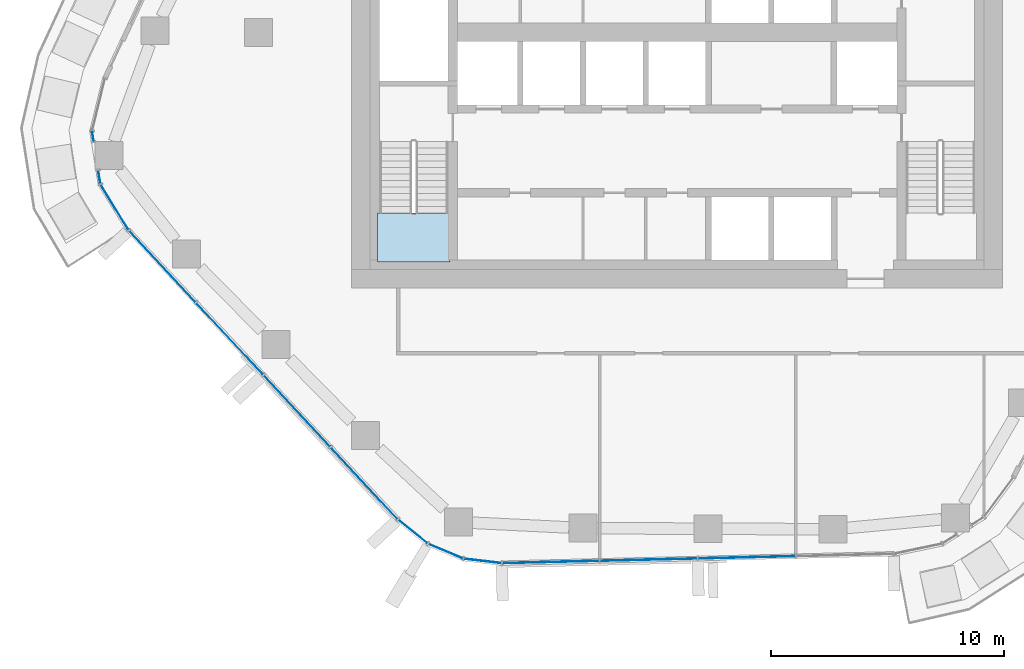
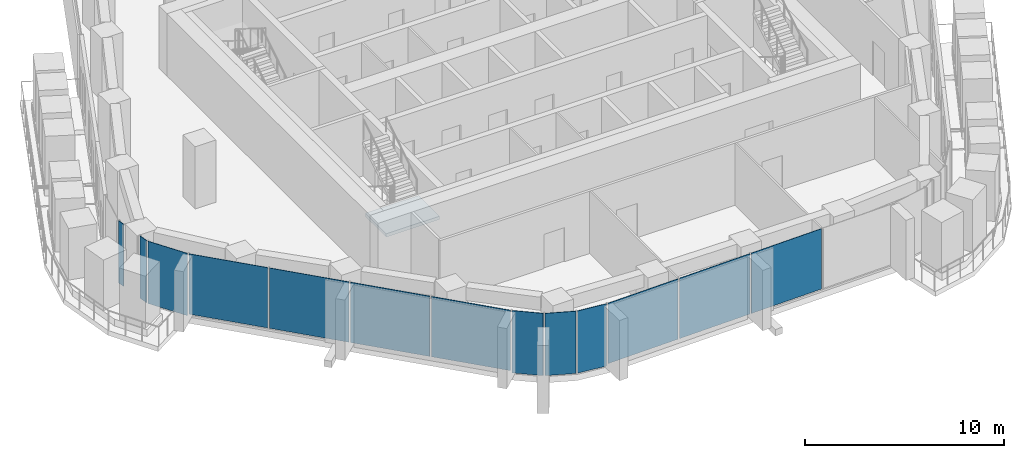
# One storey, part 7 of 17: 13 plates, 1 slab, 6 elements without a shape of their own.
"""IFC4 building model written with IfcOpenShell, lengths in metres."""

import ifcopenshell
import ifcopenshell.guid

model = None  # the IFC model being written
_history = None  # IfcOwnerHistory: only IFC2X3 demands one
_inside = {}  # id of a spatial element -> (the spatial element, [elements in it])
_under = {}  # id of a project, library or spatial element -> (it, [spatial elements below it])
_declared = {}  # id of a project -> (the project, [libraries it declares])
_typed = {}  # id of a type object -> (the type object, [elements of that type])
_made_of = {}  # id of a material, layer set ... -> (it, [elements and type objects made of it])


def new_model(schema):
    """Start an empty IFC model of exactly this schema.

    Asked for "IFC4X3", IfcOpenShell would pick the latest addendum, in which some entities
    have other attributes; the version numbers below select the first issue.
    IFC2X3 requires an IfcOwnerHistory on every rooted entity: one is made here for all.
    """
    global model, _history
    if schema == "IFC4X3":
        model = ifcopenshell.file(schema_version=(4, 3, 0, 0))
    else:
        model = ifcopenshell.file(schema=schema)
    _inside.clear()
    _under.clear()
    _declared.clear()
    _typed.clear()
    _made_of.clear()
    _history = None
    if model.schema == "IFC2X3":
        org = make("IfcOrganization", Name="unknown")
        user = make(
            "IfcPersonAndOrganization",
            ThePerson=make("IfcPerson", FamilyName="unknown"),
            TheOrganization=org,
        )
        app = make(
            "IfcApplication",
            ApplicationDeveloper=org,
            Version="unknown",
            ApplicationFullName="unknown",
            ApplicationIdentifier="unknown",
        )
        _history = make(
            "IfcOwnerHistory",
            OwningUser=user,
            OwningApplication=app,
            ChangeAction="ADDED",
            CreationDate=0,
        )
    return model


def make(cls, **values):
    """One entity of the class cls with the attributes given. An attribute that is None is left unset."""
    return model.create_entity(
        cls, **{name: value for name, value in values.items() if value is not None}
    )


def rooted(cls, **values):
    """An entity with a GlobalId (a new one), such as an element, a storey or a relation."""
    return make(cls, GlobalId=ifcopenshell.guid.new(), OwnerHistory=_history, **values)


def si_unit(unit_type, name, prefix=None):
    """IfcSIUnit, for example si_unit("LENGTHUNIT", "METRE", prefix="MILLI")."""
    return make("IfcSIUnit", UnitType=unit_type, Prefix=prefix, Name=name)


def assignment(units):
    """IfcUnitAssignment: the units of a project."""
    return None if units is None else make("IfcUnitAssignment", Units=units)


def point(xyz):
    """IfcCartesianPoint."""
    return None if xyz is None else make("IfcCartesianPoint", Coordinates=xyz)


def direction(xyz):
    """IfcDirection."""
    return None if xyz is None else make("IfcDirection", DirectionRatios=xyz)


def frame(location, z_axis=None, x_axis=None):
    """IfcAxis2Placement3D, a coordinate frame: its origin and axes. An axis left out is left unset."""
    return make(
        "IfcAxis2Placement3D",
        Location=point(location),
        Axis=direction(z_axis),
        RefDirection=direction(x_axis),
    )


def frame_2d(location, x_axis=None):
    """IfcAxis2Placement2D, a coordinate frame in the plane: its origin and x axis."""
    return make(
        "IfcAxis2Placement2D", Location=point(location), RefDirection=direction(x_axis)
    )


def origin():
    """The frame at (0, 0, 0) with its axes left unset."""
    return frame((0.0, 0.0, 0.0))


def origin_2d():
    """The frame at (0, 0) in the plane with its x axis left unset."""
    return frame_2d((0.0, 0.0))


def place(relative_to, where):
    """IfcLocalPlacement: puts the frame where relative to a parent placement (None: the world)."""
    return make(
        "IfcLocalPlacement", PlacementRelTo=relative_to, RelativePlacement=where
    )


def context(
    kind, dimensions, precision=None, world=None, true_north=None, identifier=None
):
    """IfcGeometricRepresentationContext, for example the 3D "Model" context."""
    return make(
        "IfcGeometricRepresentationContext",
        ContextIdentifier=identifier,
        ContextType=kind,
        CoordinateSpaceDimension=dimensions,
        Precision=precision,
        WorldCoordinateSystem=world,
        TrueNorth=true_north,
    )


def subcontext(parent, identifier, kind, view, scale=None):
    """IfcGeometricRepresentationSubContext, for example "Body" below "Model"."""
    return make(
        "IfcGeometricRepresentationSubContext",
        ContextIdentifier=identifier,
        ContextType=kind,
        ParentContext=parent,
        TargetScale=scale,
        TargetView=view,
    )


def project(units=None, contexts=None):
    """IfcProject with its units and contexts."""
    return rooted(
        "IfcProject",
        Name="project",
        RepresentationContexts=contexts,
        UnitsInContext=assignment(units),
    )


def spatial(cls, under=None, at=None, **own):
    """A site, building, storey or space (cls), placed at a placement, below another one or the project."""
    s = rooted(cls, ObjectPlacement=at, **own)
    if under is not None:
        _under.setdefault(under.id(), (under, []))[1].append(s)
    return s


def polyline(points):
    """IfcPolyline through the points."""
    return make("IfcPolyline", Points=[point(p) for p in points])


def profile(cls, at=None, kind="AREA", **sizes):
    """A parametric profile (cls). Its sizes go by their IFC names, for example OverallWidth=200.0."""
    return make(cls, ProfileType=kind, Position=at, **sizes)


def rectangle(**sizes):
    """IfcRectangleProfileDef."""
    return profile("IfcRectangleProfileDef", **sizes)


def outline(outer, holes=None, kind="AREA"):
    """IfcArbitraryClosedProfileDef: a profile drawn as a closed curve; with holes, ...WithVoids."""
    if holes is None:
        return make("IfcArbitraryClosedProfileDef", ProfileType=kind, OuterCurve=outer)
    return make(
        "IfcArbitraryProfileDefWithVoids",
        ProfileType=kind,
        OuterCurve=outer,
        InnerCurves=holes,
    )


def extrude(swept, where, along, depth):
    """IfcExtrudedAreaSolid: the profile swept, set in the frame where, extruded along a direction by depth."""
    return make(
        "IfcExtrudedAreaSolid",
        SweptArea=swept,
        Position=where,
        ExtrudedDirection=direction(along),
        Depth=depth,
    )


def shape(context_of_items, identifier, shape_type, items):
    """IfcShapeRepresentation: the items that make up one representation, for example the "Body"."""
    return make(
        "IfcShapeRepresentation",
        ContextOfItems=context_of_items,
        RepresentationIdentifier=identifier,
        RepresentationType=shape_type,
        Items=items,
    )


def material(Name=None, Category=None):
    """IfcMaterial."""
    return make("IfcMaterial", Name=Name, Category=Category)


def layer(
    of_material, thickness, ventilated=None, Name=None, Category=None, Priority=None
):
    """IfcMaterialLayer: one layer of a wall or slab, of a material (None: an air gap)."""
    return make(
        "IfcMaterialLayer",
        Material=of_material,
        LayerThickness=thickness,
        IsVentilated=ventilated,
        Name=Name,
        Category=Category,
        Priority=Priority,
    )


def layer_set(layers, Name=None):
    """IfcMaterialLayerSet."""
    return make("IfcMaterialLayerSet", MaterialLayers=layers, LayerSetName=Name)


def made_of(thing, what):
    """Note that an element or type object is made of a material, layer set ...; save() writes the relation."""
    if what is not None:
        _made_of.setdefault(what.id(), (what, []))[1].append(thing)
    return thing


def type_object(cls, material=None, **own):
    """A type object (cls), such as IfcWallType, which elements share."""
    return made_of(rooted(cls, **own), material)


def element(
    cls,
    number,
    at=None,
    inside=None,
    cuts=None,
    type_object=None,
    material=None,
    context=None,
    identifier="Body",
    shape_type=None,
    held_by="IfcProductDefinitionShape",
    body=None,
    shapes=None,
    **own,
):
    """One element of the class cls, such as IfcWall. Its Tag is "e" and its number.

    at: its placement. inside: the storey or other place that contains it. cuts: it is an
    opening in that element (IfcRelVoidsElement). A single representation is given by context,
    identifier, shape_type and body (its items); several are given by shapes. held_by: the class
    of the entity that holds the representations. save() writes the other relations.
    """
    e = rooted(cls, Tag="e%d" % number, ObjectPlacement=at, **own)
    if body is not None:
        shapes = [shape(context, identifier, shape_type, body)]
    if shapes is not None:
        e.Representation = make(held_by, Representations=shapes)
    if inside is not None:
        _inside.setdefault(inside.id(), (inside, []))[1].append(e)
    if cuts is not None:
        rooted(
            "IfcRelVoidsElement", RelatingBuildingElement=cuts, RelatedOpeningElement=e
        )
    if type_object is not None:
        _typed.setdefault(type_object.id(), (type_object, []))[1].append(e)
    return made_of(e, material)


def aggregate(whole, parts):
    """IfcRelAggregates: a whole, such as a stair, and the parts it consists of."""
    return rooted("IfcRelAggregates", RelatingObject=whole, RelatedObjects=parts)


def save(model, path):
    """Write the relations noted so far, then the file.

    IfcRelAggregates (storeys below a building ...), IfcRelContainedInSpatialStructure (elements
    in a storey), IfcRelDefinesByType, IfcRelAssociatesMaterial and IfcRelDeclares: one each for
    every whole, place, type object, material and project.
    """
    for whole, parts in _under.values():
        aggregate(whole, parts)
    for where, things in _inside.values():
        rooted(
            "IfcRelContainedInSpatialStructure",
            RelatedElements=things,
            RelatingStructure=where,
        )
    for kind, things in _typed.values():
        rooted("IfcRelDefinesByType", RelatedObjects=things, RelatingType=kind)
    for what, things in _made_of.values():
        rooted("IfcRelAssociatesMaterial", RelatedObjects=things, RelatingMaterial=what)
    for by, libraries in _declared.values():
        rooted("IfcRelDeclares", RelatingContext=by, RelatedDefinitions=libraries)
    model.write(path)


model = new_model("IFC4")

# Units and contexts
model_context = context("Model", 3, precision=1e-05, world=origin(), true_north=direction((0.0, 1.0)))
body_context = subcontext(model_context, "Body", "Model", "MODEL_VIEW")
ifc_project = project(units=[si_unit("LENGTHUNIT", "METRE"), si_unit("AREAUNIT", "SQUARE_METRE"), si_unit("VOLUMEUNIT", "CUBIC_METRE"), si_unit("PLANEANGLEUNIT", "RADIAN"), si_unit("MASSUNIT", "GRAM", prefix="KILO")], contexts=[model_context])

# Site, building, storey
site_placement = place(None, origin())
site = spatial("IfcSite", under=ifc_project, at=site_placement, CompositionType="ELEMENT")
building_placement = place(site_placement, origin())
building = spatial("IfcBuilding", under=site, at=building_placement, Name="Dongbaek Canopy Tower", CompositionType="ELEMENT")
storey_placement = place(building_placement, frame((0.0, 0.0, 211.39990234375)))
storey = spatial("IfcBuildingStorey", under=building, at=storey_placement, Name="L44", CompositionType="ELEMENT", Elevation=211.39990234375)

# Curtain wall, plate
ifc_material_1 = material(Name="Aluminium 6063-T6 pale anodised", Category="aluminium")
ifc_layer_1 = layer(ifc_material_1, 0.199951171875)
ifc_layer_set_1 = layer_set([ifc_layer_1], Name="CW-1 unitised tower curtain wall")
curtain_wall_type = type_object("IfcCurtainWallType", Name="CW-1 unitised tower curtain wall", PredefinedType="NOTDEFINED", material=ifc_layer_set_1)
curtain_wall_1_placement = place(storey_placement, origin())
curtain_wall_1 = element("IfcCurtainWall", 1, at=curtain_wall_1_placement, inside=storey, type_object=curtain_wall_type, Name="CW-1 curtain wall K3.1a", PredefinedType="NOTDEFINED")
ifc_material_2 = material(Name="Clear laminated glass", Category="glass")
ifc_layer_2 = layer(ifc_material_2, 0.028076171875)
ifc_layer_set_2 = layer_set([ifc_layer_2], Name="CW-1 glazed panel 28")
plate_type = type_object("IfcPlateType", Name="CW-1 glazed panel 28", PredefinedType="CURTAIN_PANEL", material=ifc_layer_set_2)
plate_1_placement = place(storey_placement, frame((-25.124755859375, -4.47314453125, 0.0), z_axis=(0.0, 0.0, 1.0), x_axis=(0.155178823082, -0.987886396742, 0.0)))
plate_1 = element("IfcPlate", 2, at=plate_1_placement, type_object=plate_type, Name="CW-1 panel K3.1a.2.1", PredefinedType="CURTAIN_PANEL", context=body_context, shape_type="SweptSolid", body=[
    extrude(rectangle(XDim=0.38037109375, YDim=0.028076171875, at=origin_2d()), origin(), (0.0, 0.0, 1.0), 3.820068359375),
])
aggregate(curtain_wall_1, [plate_1])

# Curtain wall, plates
curtain_wall_2_placement = place(storey_placement, origin())
curtain_wall_2 = element("IfcCurtainWall", 3, at=curtain_wall_2_placement, inside=storey, type_object=curtain_wall_type, Name="CW-1 curtain wall K3.1b", PredefinedType="NOTDEFINED")
plate_2_placement = place(storey_placement, frame((-24.849609375, -6.224853515625, 0.0), z_axis=(0.0, 0.0, 1.0), x_axis=(0.155178823082, -0.987886396742, 0.0)))
plate_2 = element("IfcPlate", 4, at=plate_2_placement, type_object=plate_type, Name="CW-1 panel K3.1b.1.1", PredefinedType="CURTAIN_PANEL", context=body_context, shape_type="SweptSolid", body=[
    extrude(rectangle(XDim=0.544921875, YDim=0.028076171875, at=origin_2d()), origin(), (0.0, 0.0, 1.0), 3.820068359375),
])
plate_3_placement = place(storey_placement, frame((-24.190185546875, -7.527587890625, 0.0), z_axis=(0.0, 0.0, 1.0), x_axis=(0.52414967238, -0.85162616267, 0.0)))
plate_3 = element("IfcPlate", 5, at=plate_3_placement, type_object=plate_type, Name="CW-1 panel K3.1b.2.1", PredefinedType="CURTAIN_PANEL", context=body_context, shape_type="SweptSolid", body=[
    extrude(rectangle(XDim=2.24609375, YDim=0.028076171875, at=origin_2d()), origin(), (0.0, 0.0, 1.0), 3.820068359375),
])
aggregate(curtain_wall_2, [plate_2, plate_3])

curtain_wall_3_placement = place(storey_placement, origin())
curtain_wall_3 = element("IfcCurtainWall", 6, at=curtain_wall_3_placement, inside=storey, type_object=curtain_wall_type, Name="CW-1 curtain wall F3.1", PredefinedType="NOTDEFINED")
plate_4_placement = place(storey_placement, frame((-22.135009765625, -10.0712890625, 0.1201171875), z_axis=(0.0, 0.0, 1.0), x_axis=(0.681397457921, -0.73191359076, 0.0)))
plate_4 = element("IfcPlate", 7, at=plate_4_placement, type_object=plate_type, Name="CW-1 panel F3.1.1.1", PredefinedType="CURTAIN_PANEL", context=body_context, shape_type="SweptSolid", body=[
    extrude(rectangle(XDim=4.15576171875, YDim=0.028076171875, at=origin_2d()), origin(), (0.0, 0.0, 1.0), 3.699951171875),
])
plate_5_placement = place(storey_placement, frame((-19.24267578125, -13.177978515625, 0.1201171875), z_axis=(0.0, 0.0, 1.0), x_axis=(0.681397457921, -0.73191359076, 0.0)))
plate_5 = element("IfcPlate", 8, at=plate_5_placement, type_object=plate_type, Name="CW-1 panel F3.1.2.1", PredefinedType="CURTAIN_PANEL", context=body_context, shape_type="SweptSolid", body=[
    extrude(rectangle(XDim=4.165771484375, YDim=0.028076171875, at=origin_2d()), origin(), (0.0, 0.0, 1.0), 3.699951171875),
])
plate_6_placement = place(storey_placement, frame((-16.346923828125, -16.28857421875, 0.1201171875), z_axis=(0.0, 0.0, 1.0), x_axis=(0.681397457921, -0.73191359076, 0.0)))
plate_6 = element("IfcPlate", 9, at=plate_6_placement, type_object=plate_type, Name="CW-1 panel F3.1.3.1", PredefinedType="CURTAIN_PANEL", context=body_context, shape_type="SweptSolid", body=[
    extrude(rectangle(XDim=4.165771484375, YDim=0.028076171875, at=origin_2d()), origin(), (0.0, 0.0, 1.0), 3.699951171875),
])
plate_7_placement = place(storey_placement, frame((-13.45361328125, -19.396240234375, 0.1201171875), z_axis=(0.0, 0.0, 1.0), x_axis=(0.681397457921, -0.73191359076, 0.0)))
plate_7 = element("IfcPlate", 10, at=plate_7_placement, type_object=plate_type, Name="CW-1 panel F3.1.4.1", PredefinedType="CURTAIN_PANEL", context=body_context, shape_type="SweptSolid", body=[
    extrude(rectangle(XDim=4.15869140625, YDim=0.028076171875, at=origin_2d()), origin(), (0.0, 0.0, 1.0), 3.699951171875),
])
aggregate(curtain_wall_3, [plate_4, plate_5, plate_6, plate_7])

curtain_wall_4_placement = place(storey_placement, origin())
curtain_wall_4 = element("IfcCurtainWall", 11, at=curtain_wall_4_placement, inside=storey, type_object=curtain_wall_type, Name="CW-1 curtain wall K4.1", PredefinedType="NOTDEFINED")
plate_8_placement = place(storey_placement, frame((-11.36181640625, -21.471923828125, 0.0), z_axis=(0.0, 0.0, 1.0), x_axis=(0.777386217818, -0.6290235833, 0.0)))
plate_8 = element("IfcPlate", 12, at=plate_8_placement, type_object=plate_type, Name="CW-1 panel K4.1.1.1", PredefinedType="CURTAIN_PANEL", context=body_context, shape_type="SweptSolid", body=[
    extrude(rectangle(XDim=1.5791015625, YDim=0.028076171875, at=origin_2d()), origin(), (0.0, 0.0, 1.0), 3.820068359375),
])
plate_9_placement = place(storey_placement, frame((-9.9521484375, -22.31640625, 0.0), z_axis=(0.0, 0.0, 1.0), x_axis=(0.921590716241, -0.38816304788, 0.0)))
plate_9 = element("IfcPlate", 13, at=plate_9_placement, type_object=plate_type, Name="CW-1 panel K4.1.2.1", PredefinedType="CURTAIN_PANEL", context=body_context, shape_type="SweptSolid", body=[
    extrude(rectangle(XDim=1.572021484375, YDim=0.028076171875, at=origin_2d()), origin(), (0.0, 0.0, 1.0), 3.820068359375),
])
plate_10_placement = place(storey_placement, frame((-8.36328125, -22.73486328125, 0.0), z_axis=(0.0, 0.0, 1.0), x_axis=(0.993165816234, -0.116711873708, 0.0)))
plate_10 = element("IfcPlate", 14, at=plate_10_placement, type_object=plate_type, Name="CW-1 panel K4.1.3.1", PredefinedType="CURTAIN_PANEL", context=body_context, shape_type="SweptSolid", body=[
    extrude(rectangle(XDim=1.5791015625, YDim=0.028076171875, at=origin_2d()), origin(), (0.0, 0.0, 1.0), 3.820068359375),
])
aggregate(curtain_wall_4, [plate_8, plate_9, plate_10])

curtain_wall_5_placement = place(storey_placement, origin())
curtain_wall_5 = element("IfcCurtainWall", 15, at=curtain_wall_5_placement, inside=storey, type_object=curtain_wall_type, Name="CW-1 curtain wall F4.1", PredefinedType="NOTDEFINED")
plate_11_placement = place(storey_placement, frame((-5.433349609375, -22.78173828125, 0.1201171875), z_axis=(0.0, 0.0, 1.0), x_axis=(0.99971557749, 0.023848776152, 0.0)))
plate_11 = element("IfcPlate", 16, at=plate_11_placement, type_object=plate_type, Name="CW-1 panel F4.1.1.1", PredefinedType="CURTAIN_PANEL", context=body_context, shape_type="SweptSolid", body=[
    extrude(rectangle(XDim=4.125244140625, YDim=0.028076171875, at=origin_2d()), origin(), (0.0, 0.0, 1.0), 3.699951171875),
])
plate_12_placement = place(storey_placement, frame((-1.221923828125, -22.681396484375, 0.1201171875), z_axis=(0.0, 0.0, 1.0), x_axis=(0.99971557749, 0.023848776152, 0.0)))
plate_12 = element("IfcPlate", 17, at=plate_12_placement, type_object=plate_type, Name="CW-1 panel F4.1.2.1", PredefinedType="CURTAIN_PANEL", context=body_context, shape_type="SweptSolid", body=[
    extrude(rectangle(XDim=4.13232421875, YDim=0.028076171875, at=origin_2d()), origin(), (0.0, 0.0, 1.0), 3.699951171875),
])
plate_13_placement = place(storey_placement, frame((2.9931640625, -22.580810546875, 0.1201171875), z_axis=(0.0, 0.0, 1.0), x_axis=(0.99971557749, 0.023848776152, 0.0)))
plate_13 = element("IfcPlate", 18, at=plate_13_placement, type_object=plate_type, Name="CW-1 panel F4.1.3.1", PredefinedType="CURTAIN_PANEL", context=body_context, shape_type="SweptSolid", body=[
    extrude(rectangle(XDim=4.13232421875, YDim=0.028076171875, at=origin_2d()), origin(), (0.0, 0.0, 1.0), 3.699951171875),
])
aggregate(curtain_wall_5, [plate_11, plate_12, plate_13])

# Stair, slab
ifc_material_3 = material(Name="Concrete C40/50", Category="concrete")
stair_type = type_object("IfcStairType", Name="Core exit stair", PredefinedType="HALF_TURN_STAIR", material=ifc_material_3)
stair_placement = place(storey_placement, origin())
stair = element("IfcStair", 19, at=stair_placement, inside=storey, type_object=stair_type, Name="L44 exit stair D", PredefinedType="HALF_TURN_STAIR")
ifc_material_4 = material(Name="Concrete C40/50", Category="concrete")
ifc_layer_3 = layer(ifc_material_4, 0.199951171875)
ifc_layer_set_3 = layer_set([ifc_layer_3], Name="Core stair landing 200")
slab_type = type_object("IfcSlabType", Name="Core stair landing 200", PredefinedType="LANDING", material=ifc_layer_set_3)
slab_placement = place(storey_placement, frame((0.0, 0.0, 1.900146484375)))
slab = element("IfcSlab", 20, at=slab_placement, type_object=slab_type, Name="ST-D landing 1", PredefinedType="LANDING", context=body_context, shape_type="SweptSolid", body=[
    extrude(outline(polyline([(-12.875, -7.780029296875), (-12.875, -9.875), (-9.77490234375, -9.875), (-9.77490234375, -7.780029296875), (-12.875, -7.780029296875)])), origin(), (0.0, 0.0, 1.0), 0.199951171875),
])
aggregate(stair, [slab])

save(model, "model.ifc")
